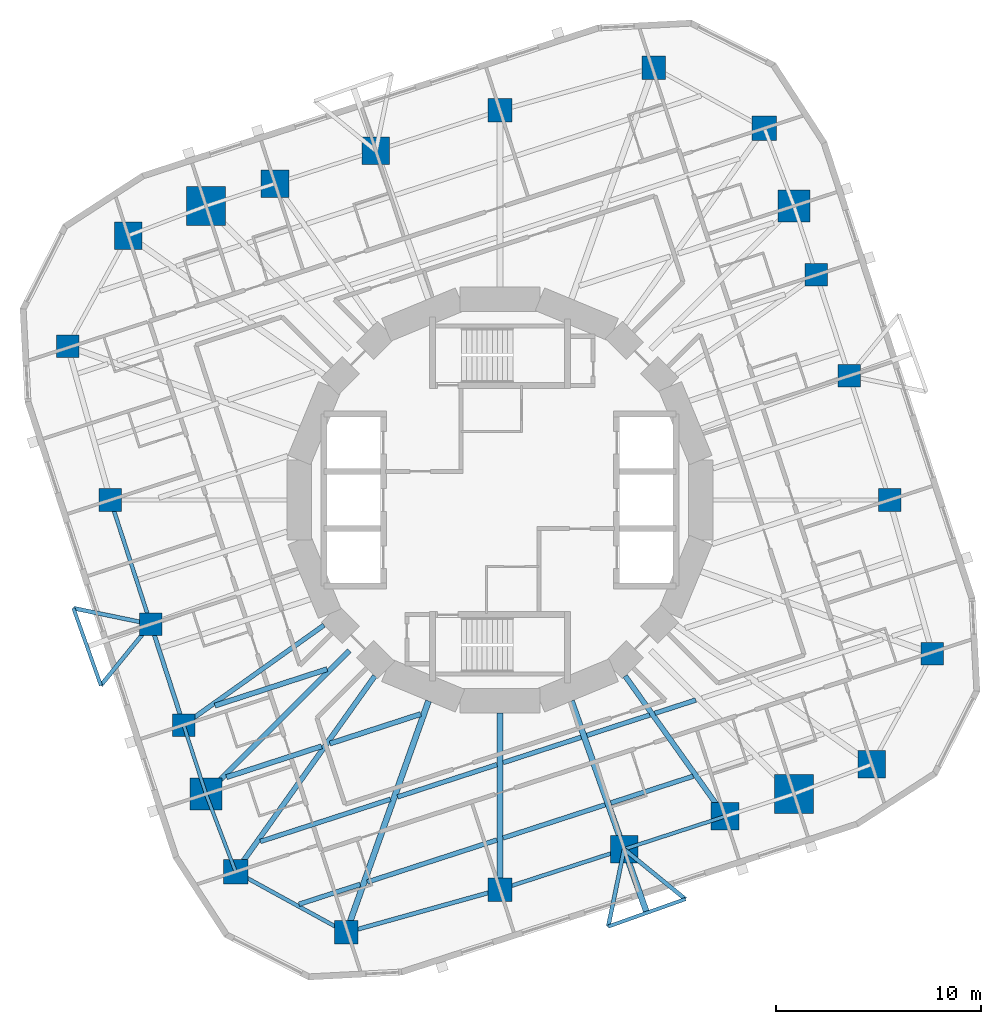
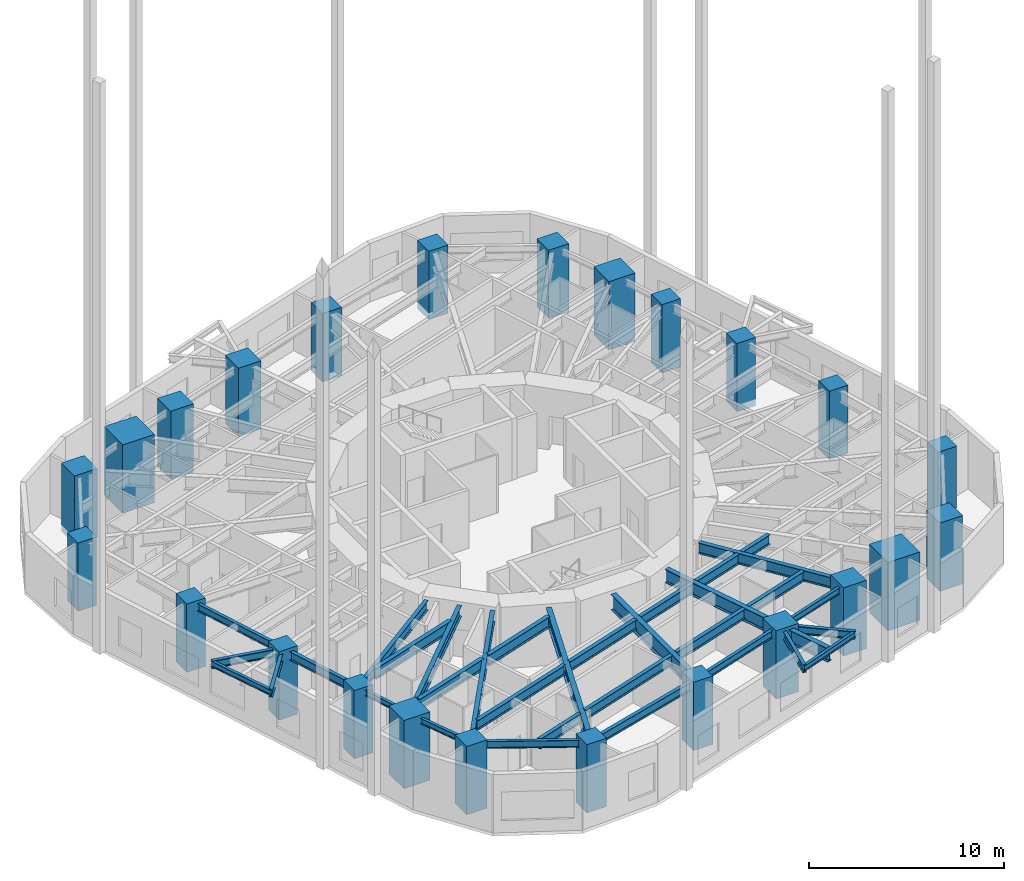
# One storey, part 1 of 10: 33 beams, 24 columns.
"""IFC4 building model written with IfcOpenShell, lengths in metres."""

from ifc_helpers import new_model, si_unit, direction, frame, origin, origin_2d, place, context, subcontext, project, spatial, rectangle, i_section, extrude, material, material_profile, profile_set, type_object, element, save


model = new_model("IFC4")

# Units and contexts
model_context = context("Model", 3, precision=1e-05, world=origin(), true_north=direction((0.0, 1.0)))
body_context = subcontext(model_context, "Body", "Model", "MODEL_VIEW")
ifc_project = project(units=[si_unit("LENGTHUNIT", "METRE"), si_unit("AREAUNIT", "SQUARE_METRE"), si_unit("VOLUMEUNIT", "CUBIC_METRE"), si_unit("PLANEANGLEUNIT", "RADIAN"), si_unit("MASSUNIT", "GRAM", prefix="KILO")], contexts=[model_context])

# Site, building, storey
site_placement = place(None, origin())
site = spatial("IfcSite", under=ifc_project, at=site_placement, CompositionType="ELEMENT")
building_placement = place(site_placement, origin())
building = spatial("IfcBuilding", under=site, at=building_placement, Name="Nakasero Lantern House", CompositionType="ELEMENT")
storey_placement = place(building_placement, frame((0.0, 0.0, 141.800048828125)))
storey = spatial("IfcBuildingStorey", under=building, at=storey_placement, Name="L34", CompositionType="ELEMENT", Elevation=141.800048828125)

# Columns
ifc_material_1 = material(Name="Concrete C50/60", Category="concrete")
ifc_material_profile_1 = material_profile(ifc_material_1, rectangle(XDim=1.550048828125, YDim=1.550048828125, at=origin_2d()), Name="RC 1550x1550")
ifc_profile_set_1 = profile_set([ifc_material_profile_1], Name="Concrete C50/60")
column_type_1 = type_object("IfcColumnType", Name="Mega column RC 1550x1550 C50/60", PredefinedType="COLUMN", material=ifc_profile_set_1)
for number, where, z_axis, x_axis, name in (
    (1, (14.3642578125, 14.3642578125, -0.427734375), (0.0, 0.0, 1.0), (1.0, 0.0, 0.0), "Column B4-C06 L34"),
    (2, (-14.3642578125, -14.3642578125, -0.427734375), (0.0, 0.0, 1.0), (1.0, 0.0, 0.0), "Column B4-C18 L34"),
):
    element("IfcColumn", number, at=place(storey_placement, frame(where, z_axis=z_axis, x_axis=x_axis)), inside=storey, type_object=column_type_1, Name=name, PredefinedType="COLUMN", context=body_context, shape_type="SweptSolid", body=[
        extrude(rectangle(XDim=1.550048828125, YDim=1.550048828125, at=origin_2d()), origin(), (0.0, 0.0, 1.0), 4.277587890625),
    ])
ifc_material_2 = material(Name="Concrete C50/60", Category="concrete")
ifc_material_profile_2 = material_profile(ifc_material_2, rectangle(XDim=1.89990234375, YDim=1.89990234375, at=origin_2d()), Name="RC 1900x1900")
ifc_profile_set_2 = profile_set([ifc_material_profile_2], Name="Concrete C50/60")
column_type_2 = type_object("IfcColumnType", Name="Mega column RC 1900x1900 C50/60", PredefinedType="COLUMN", material=ifc_profile_set_2)
for number, where, z_axis, x_axis, name in (
    (3, (-14.3642578125, 14.3642578125, -0.427734375), (0.0, 0.0, 1.0), (1.0, 0.0, 0.0), "Column B4-C12 L34"),
    (4, (14.3642578125, -14.3642578125, -0.427734375), (0.0, 0.0, 1.0), (1.0, 0.0, 0.0), "Column B4-C24 L34"),
):
    element("IfcColumn", number, at=place(storey_placement, frame(where, z_axis=z_axis, x_axis=x_axis)), inside=storey, type_object=column_type_2, Name=name, PredefinedType="COLUMN", context=body_context, shape_type="SweptSolid", body=[
        extrude(rectangle(XDim=1.89990234375, YDim=1.89990234375, at=origin_2d()), origin(), (0.0, 0.0, 1.0), 4.277587890625),
    ])
ifc_material_3 = material(Name="Concrete C50/60", Category="concrete")
ifc_material_profile_3 = material_profile(ifc_material_3, rectangle(XDim=1.10009765625, YDim=1.10009765625, at=origin_2d()), Name="RC 1100x1100")
ifc_profile_set_3 = profile_set([ifc_material_profile_3], Name="Concrete C50/60")
column_type_3 = type_object("IfcColumnType", Name="Ring column RC 1100x1100 C50/60", PredefinedType="COLUMN", material=ifc_profile_set_3)
for number, where, z_axis, x_axis, name in (
    (5, (21.129638671875, -7.5126953125, -0.427734375), (0.0, 0.0, 1.0), (1.0, 0.0, 0.0), "Column B4-C02 L34"),
    (6, (19.031494140625, 0.0, -0.427734375), (0.0, 0.0, 1.0), (1.0, 0.0, 0.0), "Column B4-C03 L34"),
    (7, (17.060546875, 6.06591796875, -0.427734375), (0.0, 0.0, 1.0), (1.0, 0.0, 0.0), "Column B4-C04 L34"),
    (8, (15.45947265625, 10.993408203125, -0.427734375), (0.0, 0.0, 1.0), (1.0, 0.0, 0.0), "Column B4-C05 L34"),
    (9, (-21.129638671875, 7.5126953125, -0.427734375), (0.0, 0.0, 1.0), (1.0, 0.0, 0.0), "Column B4-C14 L34"),
    (10, (-19.031494140625, 0.0, -0.427734375), (0.0, 0.0, 1.0), (1.0, 0.0, 0.0), "Column B4-C15 L34"),
    (11, (-17.060546875, -6.06591796875, -0.427734375), (0.0, 0.0, 1.0), (1.0, 0.0, 0.0), "Column B4-C16 L34"),
    (12, (-15.45947265625, -10.993408203125, -0.427734375), (0.0, 0.0, 1.0), (1.0, 0.0, 0.0), "Column B4-C17 L34"),
):
    element("IfcColumn", number, at=place(storey_placement, frame(where, z_axis=z_axis, x_axis=x_axis)), inside=storey, type_object=column_type_3, Name=name, PredefinedType="COLUMN", context=body_context, shape_type="SweptSolid", body=[
        extrude(rectangle(XDim=1.10009765625, YDim=1.10009765625, at=origin_2d()), origin(), (0.0, 0.0, 1.0), 4.277587890625),
    ])
ifc_material_4 = material(Name="Concrete C50/60", Category="concrete")
ifc_material_profile_4 = material_profile(ifc_material_4, rectangle(XDim=1.14990234375, YDim=1.14990234375, at=origin_2d()), Name="RC 1150x1150")
ifc_profile_set_4 = profile_set([ifc_material_profile_4], Name="Concrete C50/60")
column_type_4 = type_object("IfcColumnType", Name="Ring column RC 1150x1150 C50/60", PredefinedType="COLUMN", material=ifc_profile_set_4)
for number, where, z_axis, x_axis, name in (
    (13, (7.5126953125, 21.129638671875, -0.427734375), (0.0, 0.0, 1.0), (1.0, 0.0, 0.0), "Column B4-C08 L34"),
    (14, (0.0, 19.031494140625, -0.427734375), (0.0, 0.0, 1.0), (1.0, 0.0, 0.0), "Column B4-C09 L34"),
    (15, (-7.5126953125, -21.129638671875, -0.427734375), (0.0, 0.0, 1.0), (1.0, 0.0, 0.0), "Column B4-C20 L34"),
    (16, (0.0, -19.031494140625, -0.427734375), (0.0, 0.0, 1.0), (1.0, 0.0, 0.0), "Column B4-C21 L34"),
):
    element("IfcColumn", number, at=place(storey_placement, frame(where, z_axis=z_axis, x_axis=x_axis)), inside=storey, type_object=column_type_4, Name=name, PredefinedType="COLUMN", context=body_context, shape_type="SweptSolid", body=[
        extrude(rectangle(XDim=1.14990234375, YDim=1.14990234375, at=origin_2d()), origin(), (0.0, 0.0, 1.0), 4.277587890625),
    ])
ifc_material_5 = material(Name="Concrete C50/60", Category="concrete")
ifc_material_profile_5 = material_profile(ifc_material_5, rectangle(XDim=1.199951171875, YDim=1.199951171875, at=origin_2d()), Name="RC 1200x1200")
ifc_profile_set_5 = profile_set([ifc_material_profile_5], Name="Concrete C50/60")
column_type_5 = type_object("IfcColumnType", Name="Ring column RC 1200x1200 C50/60", PredefinedType="COLUMN", material=ifc_profile_set_5)
for number, where, z_axis, x_axis, name in (
    (17, (12.916015625, 18.1630859375, -0.427734375), (0.0, 0.0, 1.0), (1.0, 0.0, 0.0), "Column B4-C07 L34"),
    (18, (-12.916015625, -18.1630859375, -0.427734375), (0.0, 0.0, 1.0), (1.0, 0.0, 0.0), "Column B4-C19 L34"),
):
    element("IfcColumn", number, at=place(storey_placement, frame(where, z_axis=z_axis, x_axis=x_axis)), inside=storey, type_object=column_type_5, Name=name, PredefinedType="COLUMN", context=body_context, shape_type="SweptSolid", body=[
        extrude(rectangle(XDim=1.199951171875, YDim=1.199951171875, at=origin_2d()), origin(), (0.0, 0.0, 1.0), 4.277587890625),
    ])
ifc_material_6 = material(Name="Concrete C50/60", Category="concrete")
ifc_material_profile_6 = material_profile(ifc_material_6, rectangle(XDim=1.35009765625, YDim=1.35009765625, at=origin_2d()), Name="RC 1350x1350")
ifc_profile_set_6 = profile_set([ifc_material_profile_6], Name="Concrete C50/60")
column_type_6 = type_object("IfcColumnType", Name="Ring column RC 1350x1350 C50/60", PredefinedType="COLUMN", material=ifc_profile_set_6)
for number, where, z_axis, x_axis, name in (
    (19, (18.1630859375, -12.916015625, -0.427734375), (0.0, 0.0, 1.0), (1.0, 0.0, 0.0), "Column B4-C01 L34"),
    (20, (-6.06591796875, 17.060546875, -0.427734375), (0.0, 0.0, 1.0), (1.0, 0.0, 0.0), "Column B4-C10 L34"),
    (21, (-10.993408203125, 15.45947265625, -0.427734375), (0.0, 0.0, 1.0), (1.0, 0.0, 0.0), "Column B4-C11 L34"),
    (22, (-18.1630859375, 12.916015625, -0.427734375), (0.0, 0.0, 1.0), (1.0, 0.0, 0.0), "Column B4-C13 L34"),
    (23, (6.06591796875, -17.060546875, -0.427734375), (0.0, 0.0, 1.0), (1.0, 0.0, 0.0), "Column B4-C22 L34"),
    (24, (10.993408203125, -15.45947265625, -0.427734375), (0.0, 0.0, 1.0), (1.0, 0.0, 0.0), "Column B4-C23 L34"),
):
    element("IfcColumn", number, at=place(storey_placement, frame(where, z_axis=z_axis, x_axis=x_axis)), inside=storey, type_object=column_type_6, Name=name, PredefinedType="COLUMN", context=body_context, shape_type="SweptSolid", body=[
        extrude(rectangle(XDim=1.35009765625, YDim=1.35009765625, at=origin_2d()), origin(), (0.0, 0.0, 1.0), 4.277587890625),
    ])

# Beams
ifc_material_7 = material(Name="Steel S355", Category="steel")
ifc_material_profile_7 = material_profile(ifc_material_7, i_section(OverallWidth=0.199462890625, OverallDepth=0.491943359375, WebThickness=0.01806640625, FlangeThickness=0.031982421875, FilletRadius=0.01025390625, at=origin_2d()), Name="UB 457x191x161")
ifc_profile_set_7 = profile_set([ifc_material_profile_7], Name="Steel S355")
beam_type_1 = type_object("IfcBeamType", Name="Balcony splay beam UB 457x191x161", PredefinedType="BEAM", material=ifc_profile_set_7)
for number, where, z_axis, x_axis, name in (
    (25, (-17.060546875, -6.06591796875, 3.404052734375), (-0.632127727159, -0.774864205236, 0.0), (0.774864205236, -0.632127727159, 0.0), "Balcony splay beam L35 B4-C16A"),
    (26, (-17.060546875, -6.06591796875, 3.404052734375), (-0.979420272605, 0.201831438605, 0.0), (-0.201831438605, -0.979420272605, 0.0), "Balcony splay beam L35 B4-C16B"),
    (27, (6.06591796875, -17.060546875, 3.404052734375), (0.774864205236, -0.632127727159, 0.0), (0.632127727159, 0.774864205236, 0.0), "Balcony splay beam L35 B4-C22A"),
    (28, (6.06591796875, -17.060546875, 3.404052734375), (-0.201831438605, -0.979420272605, 0.0), (0.979420272605, -0.201831438605, 0.0), "Balcony splay beam L35 B4-C22B"),
):
    element("IfcBeam", number, at=place(storey_placement, frame(where, z_axis=z_axis, x_axis=x_axis)), inside=storey, type_object=beam_type_1, Name=name, PredefinedType="BEAM", context=body_context, shape_type="SweptSolid", body=[
        extrude(i_section(OverallWidth=0.199462890625, OverallDepth=0.491943359375, WebThickness=0.01806640625, FlangeThickness=0.031982421875, FilletRadius=0.01025390625, at=origin_2d()), origin(), (0.0, 0.0, 1.0), 3.858642578125),
    ])
ifc_material_8 = material(Name="Steel S355", Category="steel")
ifc_material_profile_8 = material_profile(ifc_material_8, i_section(OverallWidth=0.17138671875, OverallDepth=0.35498046875, WebThickness=0.00732421875, FlangeThickness=0.011474609375, FilletRadius=0.01025390625, at=origin_2d()), Name="UB 356x171x51")
ifc_profile_set_8 = profile_set([ifc_material_profile_8], Name="Steel S355")
beam_type_2 = type_object("IfcBeamType", Name="Balcony tie beam UB 356x171x51", PredefinedType="BEAM", material=ifc_profile_set_8)
for number, where, z_axis, x_axis, name in (
    (29, (-19.499755859375, -9.055908203125, 3.472412109375), (-0.335025321236, 0.942209124415, 0.0), (-0.942209124415, -0.335025321236, 0.0), "Balcony tie beam L35 B4-C16"),
    (30, (9.055908203125, -19.499755859375, 3.472412109375), (-0.942209124415, -0.335025321236, 0.0), (0.335025321236, -0.942209124415, 0.0), "Balcony tie beam L35 B4-C22"),
):
    element("IfcBeam", number, at=place(storey_placement, frame(where, z_axis=z_axis, x_axis=x_axis)), inside=storey, type_object=beam_type_2, Name=name, PredefinedType="BEAM", context=body_context, shape_type="SweptSolid", body=[
        extrude(i_section(OverallWidth=0.17138671875, OverallDepth=0.35498046875, WebThickness=0.00732421875, FlangeThickness=0.011474609375, FilletRadius=0.01025390625, at=origin_2d()), origin(), (0.0, 0.0, 1.0), 4.0),
    ])
ifc_material_9 = material(Name="Steel S355", Category="steel")
ifc_material_profile_9 = material_profile(ifc_material_9, i_section(OverallWidth=0.22900390625, OverallDepth=0.6123046875, WebThickness=0.011962890625, FlangeThickness=0.01953125, FilletRadius=0.0126953125, at=origin_2d()), Name="UB 610x229x125")
ifc_profile_set_9 = profile_set([ifc_material_profile_9], Name="Steel S355")
beam_type_3 = type_object("IfcBeamType", Name="Infill beam UB 610x229x125", PredefinedType="JOIST", material=ifc_profile_set_9)
beam_1_placement = place(storey_placement, frame((-9.823974609375, -19.75244140625, 3.34375), z_axis=(0.951054602662, 0.309022883872, 0.0), x_axis=(-0.309022883872, 0.951054602662, 0.0)))
element("IfcBeam", 31, at=beam_1_placement, inside=storey, type_object=beam_type_3, Name="Infill beam L35 03.1", PredefinedType="JOIST", context=body_context, shape_type="SweptSolid", body=[
    extrude(i_section(OverallWidth=0.22900390625, OverallDepth=0.6123046875, WebThickness=0.011962890625, FlangeThickness=0.01953125, FilletRadius=0.0126953125, at=origin_2d()), origin(), (0.0, 0.0, 1.0), 3.145263671875),
])
beam_2_placement = place(storey_placement, frame((-6.48193359375, -18.66650390625, 3.34375), z_axis=(0.951068556075, 0.308979937287, 0.0), x_axis=(-0.308979937287, 0.951068556075, 0.0)))
element("IfcBeam", 32, at=beam_2_placement, inside=storey, type_object=beam_type_3, Name="Infill beam L35 03.2", PredefinedType="JOIST", context=body_context, shape_type="SweptSolid", body=[
    extrude(i_section(OverallWidth=0.22900390625, OverallDepth=0.6123046875, WebThickness=0.011962890625, FlangeThickness=0.01953125, FilletRadius=0.0126953125, at=origin_2d()), origin(), (0.0, 0.0, 1.0), 6.65771484375),
])
beam_3_placement = place(storey_placement, frame((0.14990234375, -16.51171875, 3.34375), z_axis=(0.951061765699, 0.309000837904, 0.0), x_axis=(-0.309000837904, 0.951061765699, 0.0)))
element("IfcBeam", 33, at=beam_3_placement, inside=storey, type_object=beam_type_3, Name="Infill beam L35 03.3", PredefinedType="JOIST", context=body_context, shape_type="SweptSolid", body=[
    extrude(i_section(OverallWidth=0.22900390625, OverallDepth=0.6123046875, WebThickness=0.011962890625, FlangeThickness=0.01953125, FilletRadius=0.0126953125, at=origin_2d()), origin(), (0.0, 0.0, 1.0), 5.246337890625),
])
beam_4_placement = place(storey_placement, frame((5.41748046875, -14.80029296875, 3.34375), z_axis=(0.951057398427, 0.30901427944, 0.0), x_axis=(-0.30901427944, 0.951057398427, 0.0)))
element("IfcBeam", 34, at=beam_4_placement, inside=storey, type_object=beam_type_3, Name="Infill beam L35 03.4", PredefinedType="JOIST", context=body_context, shape_type="SweptSolid", body=[
    extrude(i_section(OverallWidth=0.22900390625, OverallDepth=0.6123046875, WebThickness=0.011962890625, FlangeThickness=0.01953125, FilletRadius=0.0126953125, at=origin_2d()), origin(), (0.0, 0.0, 1.0), 4.229248046875),
])
beam_5_placement = place(storey_placement, frame((-11.709228515625, -16.68505859375, 3.34375), z_axis=(0.951056080098, 0.30901833685, 0.0), x_axis=(-0.30901833685, 0.951056080098, 0.0)))
element("IfcBeam", 35, at=beam_5_placement, inside=storey, type_object=beam_type_3, Name="Infill beam L35 04.1", PredefinedType="JOIST", context=body_context, shape_type="SweptSolid", body=[
    extrude(i_section(OverallWidth=0.22900390625, OverallDepth=0.6123046875, WebThickness=0.011962890625, FlangeThickness=0.01953125, FilletRadius=0.0126953125, at=origin_2d()), origin(), (0.0, 0.0, 1.0), 6.68310546875),
])
beam_6_placement = place(storey_placement, frame((-5.00244140625, -14.505859375, 3.34375), z_axis=(0.951057977144, 0.309012498309, 0.0), x_axis=(-0.309012498309, 0.951057977144, 0.0)))
element("IfcBeam", 36, at=beam_6_placement, inside=storey, type_object=beam_type_3, Name="Infill beam L35 04.2", PredefinedType="JOIST", context=body_context, shape_type="SweptSolid", body=[
    extrude(i_section(OverallWidth=0.22900390625, OverallDepth=0.6123046875, WebThickness=0.011962890625, FlangeThickness=0.01953125, FilletRadius=0.0126953125, at=origin_2d()), origin(), (0.0, 0.0, 1.0), 5.102294921875),
])
beam_7_placement = place(storey_placement, frame((0.14990234375, -12.831787109375, 3.34375), z_axis=(0.95105910343, 0.309009031878, 0.0), x_axis=(-0.309009031878, 0.95105910343, 0.0)))
element("IfcBeam", 37, at=beam_7_placement, inside=storey, type_object=beam_type_3, Name="Infill beam L35 04.3", PredefinedType="JOIST", context=body_context, shape_type="SweptSolid", body=[
    extrude(i_section(OverallWidth=0.22900390625, OverallDepth=0.6123046875, WebThickness=0.011962890625, FlangeThickness=0.01953125, FilletRadius=0.0126953125, at=origin_2d()), origin(), (0.0, 0.0, 1.0), 4.0126953125),
])
beam_8_placement = place(storey_placement, frame((4.24462890625, -11.501220703125, 3.34375), z_axis=(0.951054080044, 0.309024492283, 0.0), x_axis=(-0.309024492283, 0.951054080044, 0.0)))
element("IfcBeam", 38, at=beam_8_placement, inside=storey, type_object=beam_type_3, Name="Infill beam L35 04.4", PredefinedType="JOIST", context=body_context, shape_type="SweptSolid", body=[
    extrude(i_section(OverallWidth=0.22900390625, OverallDepth=0.6123046875, WebThickness=0.011962890625, FlangeThickness=0.01953125, FilletRadius=0.0126953125, at=origin_2d()), origin(), (0.0, 0.0, 1.0), 3.227294921875),
])
beam_9_placement = place(storey_placement, frame((7.566650390625, -10.421875, 3.34375), z_axis=(0.951053739923, 0.30902553904, 0.0), x_axis=(-0.30902553904, 0.951053739923, 0.0)))
element("IfcBeam", 39, at=beam_9_placement, inside=storey, type_object=beam_type_3, Name="Infill beam L35 04.5", PredefinedType="JOIST", context=body_context, shape_type="SweptSolid", body=[
    extrude(i_section(OverallWidth=0.22900390625, OverallDepth=0.6123046875, WebThickness=0.011962890625, FlangeThickness=0.01953125, FilletRadius=0.0126953125, at=origin_2d()), origin(), (0.0, 0.0, 1.0), 2.09765625),
])
ifc_material_10 = material(Name="Steel S355", Category="steel")
ifc_material_profile_10 = material_profile(ifc_material_10, i_section(OverallWidth=0.253662109375, OverallDepth=0.68359375, WebThickness=0.012451171875, FlangeThickness=0.01904296875, FilletRadius=0.01513671875, at=origin_2d()), Name="UB 686x254x140")
ifc_profile_set_10 = profile_set([ifc_material_profile_10], Name="Steel S355")
beam_type_4 = type_object("IfcBeamType", Name="Infill beam UB 686x254x140", PredefinedType="JOIST", material=ifc_profile_set_10)
beam_10_placement = place(storey_placement, frame((-13.36279296875, -13.5419921875, 3.30810546875), z_axis=(0.951061574069, 0.309001427713, 0.0), x_axis=(-0.309001427713, 0.951061574069, 0.0)))
element("IfcBeam", 40, at=beam_10_placement, inside=storey, type_object=beam_type_4, Name="Infill beam L35 05.1", PredefinedType="JOIST", context=body_context, shape_type="SweptSolid", body=[
    extrude(i_section(OverallWidth=0.253662109375, OverallDepth=0.68359375, WebThickness=0.012451171875, FlangeThickness=0.01904296875, FilletRadius=0.01513671875, at=origin_2d()), origin(), (0.0, 0.0, 1.0), 4.8916015625),
])
beam_11_placement = place(storey_placement, frame((-8.305908203125, -11.89892578125, 3.30810546875), z_axis=(0.95106063111, 0.309004329989, 0.0), x_axis=(-0.309004329989, 0.95106063111, 0.0)))
element("IfcBeam", 41, at=beam_11_placement, inside=storey, type_object=beam_type_4, Name="Infill beam L35 05.2", PredefinedType="JOIST", context=body_context, shape_type="SweptSolid", body=[
    extrude(i_section(OverallWidth=0.253662109375, OverallDepth=0.68359375, WebThickness=0.012451171875, FlangeThickness=0.01904296875, FilletRadius=0.01513671875, at=origin_2d()), origin(), (0.0, 0.0, 1.0), 4.659912109375),
])
beam_12_placement = place(storey_placement, frame((-13.93017578125, -10.04638671875, 3.30810546875), z_axis=(0.951055211673, 0.309021009559, 0.0), x_axis=(-0.309021009559, 0.951055211673, 0.0)))
element("IfcBeam", 42, at=beam_12_placement, inside=storey, type_object=beam_type_4, Name="Infill beam L35 06.1", PredefinedType="JOIST", context=body_context, shape_type="SweptSolid", body=[
    extrude(i_section(OverallWidth=0.253662109375, OverallDepth=0.68359375, WebThickness=0.012451171875, FlangeThickness=0.01904296875, FilletRadius=0.01513671875, at=origin_2d()), origin(), (0.0, 0.0, 1.0), 5.769775390625),
])
ifc_material_11 = material(Name="Steel S355", Category="steel")
ifc_material_profile_11 = material_profile(ifc_material_11, i_section(OverallWidth=0.300048828125, OverallDepth=0.97998046875, WebThickness=0.0166015625, FlangeThickness=0.02587890625, FilletRadius=0.030029296875, at=origin_2d()), Name="UB 1016x305x249")
ifc_profile_set_11 = profile_set([ifc_material_profile_11], Name="Steel S355")
beam_type_5 = type_object("IfcBeamType", Name="Primary beam UB 1016x305x249, span 6 to 9 m", PredefinedType="BEAM", material=ifc_profile_set_11)
beam_13_placement = place(storey_placement, frame((0.0, -19.031494140625, 3.159912109375), z_axis=(0.0, 1.0, 0.0), x_axis=(-1.0, 0.0, 0.0)))
element("IfcBeam", 43, at=beam_13_placement, inside=storey, type_object=beam_type_5, Name="Primary beam L35 B4-C21", PredefinedType="BEAM", context=body_context, shape_type="SweptSolid", body=[
    extrude(i_section(OverallWidth=0.300048828125, OverallDepth=0.97998046875, WebThickness=0.0166015625, FlangeThickness=0.02587890625, FilletRadius=0.030029296875, at=origin_2d()), origin(), (0.0, 0.0, 1.0), 8.62353515625),
])
ifc_material_12 = material(Name="Steel S355", Category="steel")
ifc_material_profile_12 = material_profile(ifc_material_12, i_section(OverallWidth=0.22900390625, OverallDepth=0.6123046875, WebThickness=0.011962890625, FlangeThickness=0.01953125, FilletRadius=0.0126953125, at=origin_2d()), Name="UB 610x229x125")
ifc_profile_set_12 = profile_set([ifc_material_profile_12], Name="Steel S355")
beam_type_6 = type_object("IfcBeamType", Name="Primary beam UB 610x229x125, span 6 to 9 m", PredefinedType="BEAM", material=ifc_profile_set_12)
beam_14_placement = place(storey_placement, frame((-15.45947265625, -10.993408203125, 3.34375), z_axis=(0.81495106139, 0.579529781409, 0.0), x_axis=(-0.579529781409, 0.81495106139, 0.0)))
element("IfcBeam", 44, at=beam_14_placement, inside=storey, type_object=beam_type_6, Name="Primary beam L35 B4-C17", PredefinedType="BEAM", context=body_context, shape_type="SweptSolid", body=[
    extrude(i_section(OverallWidth=0.22900390625, OverallDepth=0.6123046875, WebThickness=0.011962890625, FlangeThickness=0.01953125, FilletRadius=0.0126953125, at=origin_2d()), origin(), (0.0, 0.0, 1.0), 8.41455078125),
])
ifc_material_13 = material(Name="Steel S355", Category="steel")
ifc_material_profile_13 = material_profile(ifc_material_13, i_section(OverallWidth=0.253662109375, OverallDepth=0.68359375, WebThickness=0.012451171875, FlangeThickness=0.01904296875, FilletRadius=0.01513671875, at=origin_2d()), Name="UB 686x254x140")
ifc_profile_set_13 = profile_set([ifc_material_profile_13], Name="Steel S355")
beam_type_7 = type_object("IfcBeamType", Name="Primary beam UB 686x254x140, span 6 to 9 m", PredefinedType="BEAM", material=ifc_profile_set_13)
beam_15_placement = place(storey_placement, frame((10.993408203125, -15.45947265625, 3.30810546875), z_axis=(-0.579529781409, 0.81495106139, 0.0), x_axis=(-0.81495106139, -0.579529781409, 0.0)))
element("IfcBeam", 45, at=beam_15_placement, inside=storey, type_object=beam_type_7, Name="Primary beam L35 B4-C23", PredefinedType="BEAM", context=body_context, shape_type="SweptSolid", body=[
    extrude(i_section(OverallWidth=0.253662109375, OverallDepth=0.68359375, WebThickness=0.012451171875, FlangeThickness=0.01904296875, FilletRadius=0.01513671875, at=origin_2d()), origin(), (0.0, 0.0, 1.0), 8.41455078125),
])
ifc_material_14 = material(Name="Steel S355", Category="steel")
ifc_material_profile_14 = material_profile(ifc_material_14, i_section(OverallWidth=0.253662109375, OverallDepth=0.68359375, WebThickness=0.012451171875, FlangeThickness=0.01904296875, FilletRadius=0.01513671875, at=origin_2d()), Name="UB 686x254x140")
ifc_profile_set_14 = profile_set([ifc_material_profile_14], Name="Steel S355")
beam_type_8 = type_object("IfcBeamType", Name="Primary beam UB 686x254x140, span 9 to 12 m", PredefinedType="BEAM", material=ifc_profile_set_14)
beam_16_placement = place(storey_placement, frame((-14.3642578125, -14.3642578125, 3.30810546875), z_axis=(0.707106781187, 0.707106781187, 0.0), x_axis=(-0.707106781187, 0.707106781187, 0.0)))
element("IfcBeam", 46, at=beam_16_placement, inside=storey, type_object=beam_type_8, Name="Primary beam L35 B4-C18", PredefinedType="BEAM", context=body_context, shape_type="SweptSolid", body=[
    extrude(i_section(OverallWidth=0.253662109375, OverallDepth=0.68359375, WebThickness=0.012451171875, FlangeThickness=0.01904296875, FilletRadius=0.01513671875, at=origin_2d()), origin(), (0.0, 0.0, 1.0), 9.906494140625),
])
beam_17_placement = place(storey_placement, frame((-12.916015625, -18.1630859375, 3.30810546875), z_axis=(0.579530236062, 0.814950738075, 0.0), x_axis=(-0.814950738075, 0.579530236062, 0.0)))
element("IfcBeam", 47, at=beam_17_placement, inside=storey, type_object=beam_type_8, Name="Primary beam L35 B4-C19", PredefinedType="BEAM", context=body_context, shape_type="SweptSolid", body=[
    extrude(i_section(OverallWidth=0.253662109375, OverallDepth=0.68359375, WebThickness=0.012451171875, FlangeThickness=0.01904296875, FilletRadius=0.01513671875, at=origin_2d()), origin(), (0.0, 0.0, 1.0), 11.73193359375),
])
ifc_material_15 = material(Name="Steel S355", Category="steel")
ifc_material_profile_15 = material_profile(ifc_material_15, i_section(OverallWidth=0.29248046875, OverallDepth=0.8408203125, WebThickness=0.0146484375, FlangeThickness=0.02685546875, FilletRadius=0.017822265625, at=origin_2d()), Name="UB 838x292x194")
ifc_profile_set_15 = profile_set([ifc_material_profile_15], Name="Steel S355")
beam_type_9 = type_object("IfcBeamType", Name="Primary beam UB 838x292x194, span 12 to 15 m", PredefinedType="BEAM", material=ifc_profile_set_15)
beam_18_placement = place(storey_placement, frame((-7.5126953125, -21.129638671875, 3.2294921875), z_axis=(0.335012877559, 0.942213548974, 0.0), x_axis=(-0.942213548974, 0.335012877559, 0.0)))
element("IfcBeam", 48, at=beam_18_placement, inside=storey, type_object=beam_type_9, Name="Primary beam L35 B4-C20", PredefinedType="BEAM", context=body_context, shape_type="SweptSolid", body=[
    extrude(i_section(OverallWidth=0.29248046875, OverallDepth=0.8408203125, WebThickness=0.0146484375, FlangeThickness=0.02685546875, FilletRadius=0.017822265625, at=origin_2d()), origin(), (0.0, 0.0, 1.0), 12.00390625),
])
ifc_material_16 = material(Name="Steel S355", Category="steel")
ifc_material_profile_16 = material_profile(ifc_material_16, i_section(OverallWidth=0.29248046875, OverallDepth=0.8408203125, WebThickness=0.0146484375, FlangeThickness=0.02685546875, FilletRadius=0.017822265625, at=origin_2d()), Name="UB 838x292x194")
ifc_profile_set_16 = profile_set([ifc_material_profile_16], Name="Steel S355")
beam_type_10 = type_object("IfcBeamType", Name="Primary beam UB 838x292x194, span 6 to 9 m", PredefinedType="BEAM", material=ifc_profile_set_16)
beam_19_placement = place(storey_placement, frame((7.17138671875, -20.169921875, 3.2294921875), z_axis=(-0.335007036998, 0.942215625619, 0.0), x_axis=(-0.942215625619, -0.335007036998, 0.0)))
element("IfcBeam", 49, at=beam_19_placement, inside=storey, type_object=beam_type_10, Name="Primary beam L35 B4-C22", PredefinedType="BEAM", context=body_context, shape_type="SweptSolid", body=[
    extrude(i_section(OverallWidth=0.29248046875, OverallDepth=0.8408203125, WebThickness=0.0146484375, FlangeThickness=0.02685546875, FilletRadius=0.017822265625, at=origin_2d()), origin(), (0.0, 0.0, 1.0), 10.9853515625),
])
ifc_material_17 = material(Name="Steel S355", Category="steel")
ifc_material_profile_17 = material_profile(ifc_material_17, i_section(OverallWidth=0.17138671875, OverallDepth=0.35498046875, WebThickness=0.00732421875, FlangeThickness=0.011474609375, FilletRadius=0.01025390625, at=origin_2d()), Name="UB 356x171x51")
ifc_profile_set_17 = profile_set([ifc_material_profile_17], Name="Steel S355")
beam_type_11 = type_object("IfcBeamType", Name="Ring beam UB 356x171x51", PredefinedType="BEAM", material=ifc_profile_set_17)
beam_20_placement = place(storey_placement, frame((-15.45947265625, -10.993408203125, 3.472412109375), z_axis=(0.309006636447, -0.951059881727, 0.0), x_axis=(0.951059881727, 0.309006636447, 0.0)))
element("IfcBeam", 50, at=beam_20_placement, inside=storey, type_object=beam_type_11, Name="Ring beam L35 B4-C17", PredefinedType="BEAM", context=body_context, shape_type="SweptSolid", body=[
    extrude(i_section(OverallWidth=0.17138671875, OverallDepth=0.35498046875, WebThickness=0.00732421875, FlangeThickness=0.011474609375, FilletRadius=0.01025390625, at=origin_2d()), origin(), (0.0, 0.0, 1.0), 3.544189453125),
])
beam_21_placement = place(storey_placement, frame((-14.3642578125, -14.3642578125, 3.472412109375), z_axis=(0.35622505813, -0.934400186194, 0.0), x_axis=(0.934400186194, 0.35622505813, 0.0)))
element("IfcBeam", 51, at=beam_21_placement, inside=storey, type_object=beam_type_11, Name="Ring beam L35 B4-C18", PredefinedType="BEAM", context=body_context, shape_type="SweptSolid", body=[
    extrude(i_section(OverallWidth=0.17138671875, OverallDepth=0.35498046875, WebThickness=0.00732421875, FlangeThickness=0.011474609375, FilletRadius=0.01025390625, at=origin_2d()), origin(), (0.0, 0.0, 1.0), 4.0654296875),
])
ifc_material_18 = material(Name="Steel S355", Category="steel")
ifc_material_profile_18 = material_profile(ifc_material_18, i_section(OverallWidth=0.177978515625, OverallDepth=0.406494140625, WebThickness=0.0078125, FlangeThickness=0.0126953125, FilletRadius=0.01025390625, at=origin_2d()), Name="UB 406x178x60")
ifc_profile_set_18 = profile_set([ifc_material_profile_18], Name="Steel S355")
beam_type_12 = type_object("IfcBeamType", Name="Ring beam UB 406x178x60", PredefinedType="BEAM", material=ifc_profile_set_18)
beam_22_placement = place(storey_placement, frame((6.06591796875, -17.060546875, 3.44677734375), z_axis=(0.95105449754, 0.309023207396, 0.0), x_axis=(-0.309023207396, 0.95105449754, 0.0)))
element("IfcBeam", 52, at=beam_22_placement, inside=storey, type_object=beam_type_12, Name="Ring beam L35 B4-C22", PredefinedType="BEAM", context=body_context, shape_type="SweptSolid", body=[
    extrude(i_section(OverallWidth=0.177978515625, OverallDepth=0.406494140625, WebThickness=0.0078125, FlangeThickness=0.0126953125, FilletRadius=0.01025390625, at=origin_2d()), origin(), (0.0, 0.0, 1.0), 5.18115234375),
])
ifc_material_19 = material(Name="Steel S355", Category="steel")
ifc_material_profile_19 = material_profile(ifc_material_19, i_section(OverallWidth=0.18994140625, OverallDepth=0.453369140625, WebThickness=0.008544921875, FlangeThickness=0.0126953125, FilletRadius=0.01025390625, at=origin_2d()), Name="UB 457x191x67")
ifc_profile_set_19 = profile_set([ifc_material_profile_19], Name="Steel S355")
beam_type_13 = type_object("IfcBeamType", Name="Ring beam UB 457x191x67", PredefinedType="BEAM", material=ifc_profile_set_19)
beam_23_placement = place(storey_placement, frame((-19.031494140625, 0.0, 3.42333984375), z_axis=(0.309018560274, -0.951056007502, 0.0), x_axis=(0.951056007502, 0.309018560274, 0.0)))
element("IfcBeam", 53, at=beam_23_placement, inside=storey, type_object=beam_type_13, Name="Ring beam L35 B4-C15", PredefinedType="BEAM", context=body_context, shape_type="SweptSolid", body=[
    extrude(i_section(OverallWidth=0.18994140625, OverallDepth=0.453369140625, WebThickness=0.008544921875, FlangeThickness=0.0126953125, FilletRadius=0.01025390625, at=origin_2d()), origin(), (0.0, 0.0, 1.0), 6.378173828125),
])
beam_24_placement = place(storey_placement, frame((-12.916015625, -18.1630859375, 3.42333984375), z_axis=(0.876576912681, -0.481261795861, 0.0), x_axis=(0.481261795861, 0.876576912681, 0.0)))
element("IfcBeam", 54, at=beam_24_placement, inside=storey, type_object=beam_type_13, Name="Ring beam L35 B4-C19", PredefinedType="BEAM", context=body_context, shape_type="SweptSolid", body=[
    extrude(i_section(OverallWidth=0.18994140625, OverallDepth=0.453369140625, WebThickness=0.008544921875, FlangeThickness=0.0126953125, FilletRadius=0.01025390625, at=origin_2d()), origin(), (0.0, 0.0, 1.0), 6.1640625),
])
ifc_material_20 = material(Name="Steel S355", Category="steel")
ifc_material_profile_20 = material_profile(ifc_material_20, i_section(OverallWidth=0.19140625, OverallDepth=0.4599609375, WebThickness=0.010009765625, FlangeThickness=0.01611328125, FilletRadius=0.01025390625, at=origin_2d()), Name="UB 457x191x82")
ifc_profile_set_20 = profile_set([ifc_material_profile_20], Name="Steel S355")
beam_type_14 = type_object("IfcBeamType", Name="Ring beam UB 457x191x82", PredefinedType="BEAM", material=ifc_profile_set_20)
beam_25_placement = place(storey_placement, frame((0.0, -19.031494140625, 3.419921875), z_axis=(0.951056007502, 0.309018560274, 0.0), x_axis=(-0.309018560274, 0.951056007502, 0.0)))
element("IfcBeam", 55, at=beam_25_placement, inside=storey, type_object=beam_type_14, Name="Ring beam L35 B4-C21", PredefinedType="BEAM", context=body_context, shape_type="SweptSolid", body=[
    extrude(i_section(OverallWidth=0.19140625, OverallDepth=0.4599609375, WebThickness=0.010009765625, FlangeThickness=0.01611328125, FilletRadius=0.01025390625, at=origin_2d()), origin(), (0.0, 0.0, 1.0), 6.378173828125),
])
ifc_material_21 = material(Name="Steel S355", Category="steel")
ifc_material_profile_21 = material_profile(ifc_material_21, i_section(OverallWidth=0.2099609375, OverallDepth=0.53662109375, WebThickness=0.0107421875, FlangeThickness=0.017333984375, FilletRadius=0.0126953125, at=origin_2d()), Name="UB 533x210x101")
ifc_profile_set_21 = profile_set([ifc_material_profile_21], Name="Steel S355")
beam_type_15 = type_object("IfcBeamType", Name="Ring beam UB 533x210x101", PredefinedType="BEAM", material=ifc_profile_set_21)
beam_26_placement = place(storey_placement, frame((-17.060546875, -6.06591796875, 3.381591796875), z_axis=(0.309023207396, -0.95105449754, 0.0), x_axis=(0.95105449754, 0.309023207396, 0.0)))
element("IfcBeam", 56, at=beam_26_placement, inside=storey, type_object=beam_type_15, Name="Ring beam L35 B4-C16", PredefinedType="BEAM", context=body_context, shape_type="SweptSolid", body=[
    extrude(i_section(OverallWidth=0.2099609375, OverallDepth=0.53662109375, WebThickness=0.0107421875, FlangeThickness=0.017333984375, FilletRadius=0.0126953125, at=origin_2d()), origin(), (0.0, 0.0, 1.0), 5.18115234375),
])
ifc_material_22 = material(Name="Steel S355", Category="steel")
ifc_material_profile_22 = material_profile(ifc_material_22, i_section(OverallWidth=0.208740234375, OverallDepth=0.5283203125, WebThickness=0.009521484375, FlangeThickness=0.01318359375, FilletRadius=0.0126953125, at=origin_2d()), Name="UB 533x210x82")
ifc_profile_set_22 = profile_set([ifc_material_profile_22], Name="Steel S355")
beam_type_16 = type_object("IfcBeamType", Name="Ring beam UB 533x210x82", PredefinedType="BEAM", material=ifc_profile_set_22)
beam_27_placement = place(storey_placement, frame((-7.5126953125, -21.129638671875, 3.3857421875), z_axis=(0.963143892339, 0.268986696047, 0.0), x_axis=(-0.268986696047, 0.963143892339, 0.0)))
element("IfcBeam", 57, at=beam_27_placement, inside=storey, type_object=beam_type_16, Name="Ring beam L35 B4-C20", PredefinedType="BEAM", context=body_context, shape_type="SweptSolid", body=[
    extrude(i_section(OverallWidth=0.208740234375, OverallDepth=0.5283203125, WebThickness=0.009521484375, FlangeThickness=0.01318359375, FilletRadius=0.0126953125, at=origin_2d()), origin(), (0.0, 0.0, 1.0), 7.80029296875),
])

save(model, "model.ifc")
